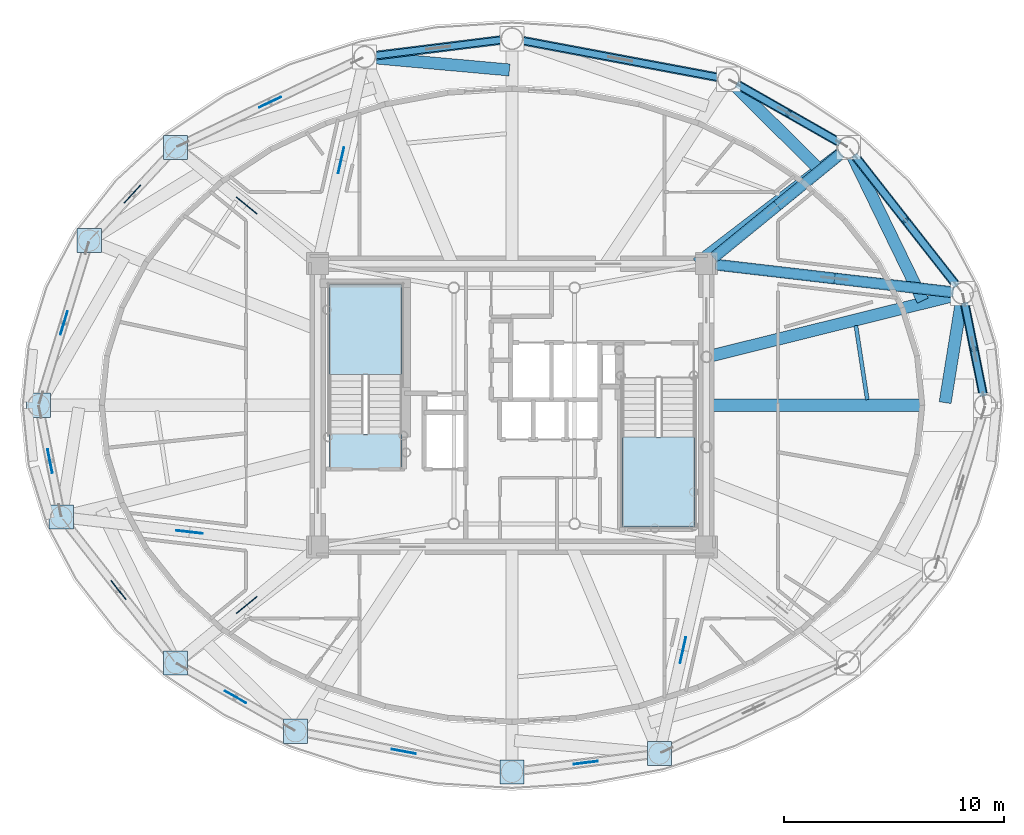
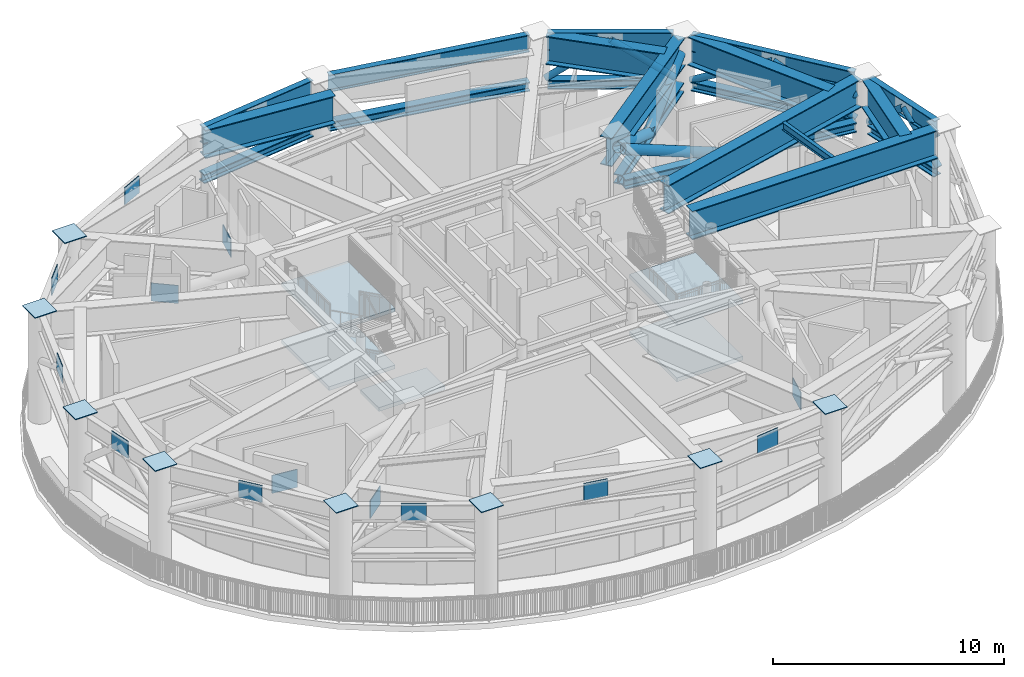
# One storey, part 4 of 17: 21 plates, 20 beams, 10 members, 5 slabs, 2 elements without a shape of their own.
"""IFC4 building model written with IfcOpenShell, lengths in metres."""

from ifc_helpers import new_model, si_unit, direction, frame, origin, origin_2d, place, context, subcontext, project, spatial, polyline, rectangle, hollow_circle, i_section, outline, extrude, source, transform, mapped, material, layer, layer_set, material_profile, profile_set, type_object, element, aggregate, save


model = new_model("IFC4")

# Units and contexts
model_context = context("Model", 3, precision=1e-05, world=origin(), true_north=direction((0.0, 1.0)))
body_context = subcontext(model_context, "Body", "Model", "MODEL_VIEW")
ifc_project = project(units=[si_unit("LENGTHUNIT", "METRE"), si_unit("AREAUNIT", "SQUARE_METRE"), si_unit("VOLUMEUNIT", "CUBIC_METRE"), si_unit("PLANEANGLEUNIT", "RADIAN"), si_unit("MASSUNIT", "GRAM", prefix="KILO")], contexts=[model_context])

# Site, building, storey
site_placement = place(None, origin())
site = spatial("IfcSite", under=ifc_project, at=site_placement, CompositionType="ELEMENT")
building_placement = place(site_placement, origin())
building = spatial("IfcBuilding", under=site, at=building_placement, Name="Linh Dai School and Residence Tower", CompositionType="ELEMENT")
storey_placement = place(building_placement, frame((0.0, 0.0, 318.0)))
storey = spatial("IfcBuildingStorey", under=building, at=storey_placement, Name="L79", CompositionType="ELEMENT", Elevation=318.0)

# Beams
ifc_material_1 = material(Name="Structural Steel S355JR", Category="steel")
ifc_material_profile_1 = material_profile(ifc_material_1, i_section(OverallWidth=0.41796875, OverallDepth=0.506103515625, WebThickness=0.038818359375, FlangeThickness=0.05810546875, FilletRadius=0.014892578125, at=origin_2d()), Name="HD 400x551")
ifc_profile_set_1 = profile_set([ifc_material_profile_1], Name="Structural Steel S355JR")
beam_type_1 = type_object("IfcBeamType", Name="BM-BC1", PredefinedType="BEAM", material=ifc_profile_set_1)
beam_1_placement = place(storey_placement, frame((45.26708984375, 33.401611328125, 3.10009765625), z_axis=(0.993317946848, -0.115409949612, 0.0), x_axis=(0.115409949612, 0.993317946848, 0.0)))
element("IfcBeam", 1, at=beam_1_placement, inside=storey, type_object=beam_type_1, Name="L79 Outrigger Truss OT3 Bottom Chord 01", PredefinedType="BEAM", context=body_context, shape_type="SweptSolid", body=[
    extrude(i_section(OverallWidth=0.41796875, OverallDepth=0.506103515625, WebThickness=0.038818359375, FlangeThickness=0.05810546875, FilletRadius=0.014892578125, at=origin_2d()), origin(), (0.0, 0.0, 1.0), 10.9072265625),
])
beam_2_placement = place(storey_placement, frame((45.17529296875, 33.7158203125, 3.10009765625), z_axis=(0.774333784276, 0.632777362529, 0.0), x_axis=(-0.632777362529, 0.774333784276, 0.0)))
element("IfcBeam", 2, at=beam_2_placement, inside=storey, type_object=beam_type_1, Name="L79 Outrigger Truss OT3 Bottom Chord 02", PredefinedType="BEAM", context=body_context, shape_type="SweptSolid", body=[
    extrude(i_section(OverallWidth=0.41796875, OverallDepth=0.506103515625, WebThickness=0.038818359375, FlangeThickness=0.05810546875, FilletRadius=0.014892578125, at=origin_2d()), origin(), (0.0, 0.0, 1.0), 7.50927734375),
])
ifc_material_profile_2 = material_profile(ifc_material_1, i_section(OverallWidth=0.408935546875, OverallDepth=0.47509765625, WebThickness=0.02978515625, FlangeThickness=0.048095703125, FilletRadius=0.014892578125, at=origin_2d()), Name="HD 400x421")
ifc_profile_set_2 = profile_set([ifc_material_profile_2], Name="Structural Steel S355JR")
beam_type_2 = type_object("IfcBeamType", Name="BM-BC2", PredefinedType="BEAM", material=ifc_profile_set_2)
beam_3_placement = place(storey_placement, frame((57.466552734375, 27.41162109375, 3.050048828125), z_axis=(-0.198442801529, 0.980112470343, 0.0), x_axis=(-0.980112470343, -0.198442801529, 0.0)))
element("IfcBeam", 3, at=beam_3_placement, inside=storey, type_object=beam_type_2, Name="L79 Ring Belt Truss BT4 Bottom Chord 01", PredefinedType="BEAM", context=body_context, shape_type="SweptSolid", body=[
    extrude(i_section(OverallWidth=0.408935546875, OverallDepth=0.47509765625, WebThickness=0.02978515625, FlangeThickness=0.048095703125, FilletRadius=0.014892578125, at=origin_2d()), origin(), (0.0, 0.0, 1.0), 4.357666015625),
])
beam_4_placement = place(storey_placement, frame((56.259521484375, 32.425048828125, 3.050048828125), z_axis=(-0.616882739554, 0.787055071542, 0.0), x_axis=(-0.787055071542, -0.616882739554, 0.0)))
element("IfcBeam", 4, at=beam_4_placement, inside=storey, type_object=beam_type_2, Name="L79 Ring Belt Truss BT4 Bottom Chord 02", PredefinedType="BEAM", context=body_context, shape_type="SweptSolid", body=[
    extrude(i_section(OverallWidth=0.408935546875, OverallDepth=0.47509765625, WebThickness=0.02978515625, FlangeThickness=0.048095703125, FilletRadius=0.014892578125, at=origin_2d()), origin(), (0.0, 0.0, 1.0), 7.59521484375),
])
beam_5_placement = place(storey_placement, frame((50.949951171875, 38.94091796875, 3.050048828125), z_axis=(-0.869265548778, 0.494345431564, 0.0), x_axis=(-0.494345431564, -0.869265548778, 0.0)))
element("IfcBeam", 5, at=beam_5_placement, inside=storey, type_object=beam_type_2, Name="L79 Ring Belt Truss BT4 Bottom Chord 03", PredefinedType="BEAM", context=body_context, shape_type="SweptSolid", body=[
    extrude(i_section(OverallWidth=0.408935546875, OverallDepth=0.47509765625, WebThickness=0.02978515625, FlangeThickness=0.048095703125, FilletRadius=0.014892578125, at=origin_2d()), origin(), (0.0, 0.0, 1.0), 5.44189453125),
])
beam_6_placement = place(storey_placement, frame((45.441650390625, 41.916259765625, 3.050048828125), z_axis=(-0.982805333306, 0.184644731378, 0.0), x_axis=(-0.184644731378, -0.982805333306, 0.0)))
element("IfcBeam", 6, at=beam_6_placement, inside=storey, type_object=beam_type_2, Name="L79 Ring Belt Truss BT4 Bottom Chord 04", PredefinedType="BEAM", context=body_context, shape_type="SweptSolid", body=[
    extrude(i_section(OverallWidth=0.408935546875, OverallDepth=0.47509765625, WebThickness=0.02978515625, FlangeThickness=0.048095703125, FilletRadius=0.014892578125, at=origin_2d()), origin(), (0.0, 0.0, 1.0), 9.186767578125),
])
beam_7_placement = place(storey_placement, frame((35.583251953125, 43.638427734375, 3.050048828125), z_axis=(-0.992399134443, -0.123060789678, 0.0), x_axis=(0.123060789678, -0.992399134443, 0.0)))
element("IfcBeam", 7, at=beam_7_placement, inside=storey, type_object=beam_type_2, Name="L79 Ring Belt Truss BT4 Bottom Chord 05", PredefinedType="BEAM", context=body_context, shape_type="SweptSolid", body=[
    extrude(i_section(OverallWidth=0.408935546875, OverallDepth=0.47509765625, WebThickness=0.02978515625, FlangeThickness=0.048095703125, FilletRadius=0.014892578125, at=origin_2d()), origin(), (0.0, 0.0, 1.0), 5.923828125),
])
ifc_material_profile_3 = material_profile(ifc_material_1, i_section(OverallWidth=0.300048828125, OverallDepth=0.89990234375, WebThickness=0.0185546875, FlangeThickness=0.034912109375, FilletRadius=0.030029296875, at=origin_2d()), Name="HEB 900")
ifc_profile_set_3 = profile_set([ifc_material_profile_3], Name="Structural Steel S355JR")
beam_type_3 = type_object("IfcBeamType", Name="BM-RG9", PredefinedType="BEAM", material=ifc_profile_set_3)
beam_8_placement = place(storey_placement, frame((57.466552734375, 27.41162109375, 5.300048828125), z_axis=(-0.198442801529, 0.980112470343, 0.0), x_axis=(-0.980112470343, -0.198442801529, 0.0)))
element("IfcBeam", 8, at=beam_8_placement, inside=storey, type_object=beam_type_3, Name="L79 Perimeter Elliptical Ring Beam 01", PredefinedType="BEAM", context=body_context, shape_type="SweptSolid", body=[
    extrude(i_section(OverallWidth=0.300048828125, OverallDepth=0.89990234375, WebThickness=0.0185546875, FlangeThickness=0.034912109375, FilletRadius=0.030029296875, at=origin_2d()), origin(), (0.0, 0.0, 1.0), 4.357666015625),
])
beam_9_placement = place(storey_placement, frame((56.259521484375, 32.425048828125, 5.300048828125), z_axis=(-0.616882739554, 0.787055071542, 0.0), x_axis=(-0.787055071542, -0.616882739554, 0.0)))
element("IfcBeam", 9, at=beam_9_placement, inside=storey, type_object=beam_type_3, Name="L79 Perimeter Elliptical Ring Beam 02", PredefinedType="BEAM", context=body_context, shape_type="SweptSolid", body=[
    extrude(i_section(OverallWidth=0.300048828125, OverallDepth=0.89990234375, WebThickness=0.0185546875, FlangeThickness=0.034912109375, FilletRadius=0.030029296875, at=origin_2d()), origin(), (0.0, 0.0, 1.0), 7.59521484375),
])
beam_10_placement = place(storey_placement, frame((50.949951171875, 38.94091796875, 5.300048828125), z_axis=(-0.869265548778, 0.494345431564, 0.0), x_axis=(-0.494345431564, -0.869265548778, 0.0)))
element("IfcBeam", 10, at=beam_10_placement, inside=storey, type_object=beam_type_3, Name="L79 Perimeter Elliptical Ring Beam 03", PredefinedType="BEAM", context=body_context, shape_type="SweptSolid", body=[
    extrude(i_section(OverallWidth=0.300048828125, OverallDepth=0.89990234375, WebThickness=0.0185546875, FlangeThickness=0.034912109375, FilletRadius=0.030029296875, at=origin_2d()), origin(), (0.0, 0.0, 1.0), 5.44189453125),
])
beam_11_placement = place(storey_placement, frame((45.441650390625, 41.916259765625, 5.300048828125), z_axis=(-0.982805333306, 0.184644731378, 0.0), x_axis=(-0.184644731378, -0.982805333306, 0.0)))
element("IfcBeam", 11, at=beam_11_placement, inside=storey, type_object=beam_type_3, Name="L79 Perimeter Elliptical Ring Beam 04", PredefinedType="BEAM", context=body_context, shape_type="SweptSolid", body=[
    extrude(i_section(OverallWidth=0.300048828125, OverallDepth=0.89990234375, WebThickness=0.0185546875, FlangeThickness=0.034912109375, FilletRadius=0.030029296875, at=origin_2d()), origin(), (0.0, 0.0, 1.0), 9.186767578125),
])
beam_12_placement = place(storey_placement, frame((35.583251953125, 43.638427734375, 5.300048828125), z_axis=(-0.992399134443, -0.123060789678, 0.0), x_axis=(0.123060789678, -0.992399134443, 0.0)))
element("IfcBeam", 12, at=beam_12_placement, inside=storey, type_object=beam_type_3, Name="L79 Perimeter Elliptical Ring Beam 05", PredefinedType="BEAM", context=body_context, shape_type="SweptSolid", body=[
    extrude(i_section(OverallWidth=0.300048828125, OverallDepth=0.89990234375, WebThickness=0.0185546875, FlangeThickness=0.034912109375, FilletRadius=0.030029296875, at=origin_2d()), origin(), (0.0, 0.0, 1.0), 5.923828125),
])
ifc_material_profile_4 = material_profile(ifc_material_1, i_section(OverallWidth=0.179931640625, OverallDepth=0.39990234375, WebThickness=0.008544921875, FlangeThickness=0.013427734375, FilletRadius=0.02099609375, at=origin_2d()), Name="IPE 400")
ifc_profile_set_4 = profile_set([ifc_material_profile_4], Name="Structural Steel S355JR")
beam_type_4 = type_object("IfcBeamType", Name="BM-SB40", PredefinedType="BEAM", material=ifc_profile_set_4)
beam_13_placement = place(storey_placement, frame((52.177001953125, 27.251953125, 5.550048828125), z_axis=(-0.152417273889, 0.988316232094, 0.0), x_axis=(-0.988316232094, -0.152417273889, 0.0)))
element("IfcBeam", 13, at=beam_13_placement, inside=storey, type_object=beam_type_4, Name="L79 Secondary Circumferential Floor Beam 01", PredefinedType="BEAM", context=body_context, shape_type="SweptSolid", body=[
    extrude(i_section(OverallWidth=0.179931640625, OverallDepth=0.39990234375, WebThickness=0.008544921875, FlangeThickness=0.013427734375, FilletRadius=0.02099609375, at=origin_2d()), origin(), (0.0, 0.0, 1.0), 3.413330078125),
])
ifc_material_profile_5 = material_profile(ifc_material_1, i_section(OverallWidth=0.550048828125, OverallDepth=1.5, WebThickness=0.028076171875, FlangeThickness=0.050048828125, at=origin_2d()), Name="PG 1500x550x28x50")
ifc_profile_set_5 = profile_set([ifc_material_profile_5], Name="Structural Steel S355JR")
beam_type_5 = type_object("IfcBeamType", Name="BM-TG15", PredefinedType="BEAM", material=ifc_profile_set_5)
beam_14_placement = place(storey_placement, frame((44.85009765625, 27.0, 5.0), z_axis=(1.0, 0.0, 0.0), x_axis=(0.0, 1.0, 0.0)))
element("IfcBeam", 14, at=beam_14_placement, inside=storey, type_object=beam_type_5, Name="L79 Radial Setback Transfer Girder 01", PredefinedType="BEAM", context=body_context, shape_type="SweptSolid", body=[
    extrude(i_section(OverallWidth=0.550048828125, OverallDepth=1.5, WebThickness=0.028076171875, FlangeThickness=0.050048828125, at=origin_2d()), origin(), (0.0, 0.0, 1.0), 12.27978515625),
])
beam_15_placement = place(storey_placement, frame((55.718994140625, 27.118408203125, 5.0), z_axis=(0.158645897724, 0.987335545362, 0.0), x_axis=(-0.987335545362, 0.158645897724, 0.0)))
element("IfcBeam", 15, at=beam_15_placement, inside=storey, type_object=beam_type_5, Name="L79 Setback Diaphragm Transfer Girder 01", PredefinedType="BEAM", context=body_context, shape_type="SweptSolid", body=[
    extrude(i_section(OverallWidth=0.550048828125, OverallDepth=1.5, WebThickness=0.028076171875, FlangeThickness=0.050048828125, at=origin_2d()), origin(), (0.0, 0.0, 1.0), 4.619873046875),
])
beam_16_placement = place(storey_placement, frame((44.85009765625, 29.197265625, 5.0), z_axis=(0.970532368701, 0.240970789315, 0.0), x_axis=(-0.240970789315, 0.970532368701, 0.0)))
element("IfcBeam", 16, at=beam_16_placement, inside=storey, type_object=beam_type_5, Name="L79 Radial Setback Transfer Girder 02", PredefinedType="BEAM", context=body_context, shape_type="SweptSolid", body=[
    extrude(i_section(OverallWidth=0.550048828125, OverallDepth=1.5, WebThickness=0.028076171875, FlangeThickness=0.050048828125, at=origin_2d()), origin(), (0.0, 0.0, 1.0), 11.6025390625),
])
beam_17_placement = place(storey_placement, frame((54.705322265625, 31.7626953125, 5.0), z_axis=(-0.437369650216, 0.899281818492, 0.0), x_axis=(-0.899281818492, -0.437369650216, 0.0)))
element("IfcBeam", 17, at=beam_17_placement, inside=storey, type_object=beam_type_5, Name="L79 Setback Diaphragm Transfer Girder 02", PredefinedType="BEAM", context=body_context, shape_type="SweptSolid", body=[
    extrude(i_section(OverallWidth=0.550048828125, OverallDepth=1.5, WebThickness=0.028076171875, FlangeThickness=0.050048828125, at=origin_2d()), origin(), (0.0, 0.0, 1.0), 7.33154296875),
])
beam_18_placement = place(storey_placement, frame((44.4189453125, 33.449951171875, 5.0), z_axis=(0.793802616583, 0.608175472956, 0.0), x_axis=(-0.608175472956, 0.793802616583, 0.0)))
element("IfcBeam", 18, at=beam_18_placement, inside=storey, type_object=beam_type_5, Name="L79 Radial Setback Transfer Girder 03", PredefinedType="BEAM", context=body_context, shape_type="SweptSolid", body=[
    extrude(i_section(OverallWidth=0.550048828125, OverallDepth=1.5, WebThickness=0.028076171875, FlangeThickness=0.050048828125, at=origin_2d()), origin(), (0.0, 0.0, 1.0), 8.267578125),
])
beam_19_placement = place(storey_placement, frame((49.917236328125, 37.807373046875, 5.0), z_axis=(-0.709840484689, 0.704362467978, 0.0), x_axis=(-0.704362467978, -0.709840484689, 0.0)))
element("IfcBeam", 19, at=beam_19_placement, inside=storey, type_object=beam_type_5, Name="L79 Setback Diaphragm Transfer Girder 03", PredefinedType="BEAM", context=body_context, shape_type="SweptSolid", body=[
    extrude(i_section(OverallWidth=0.550048828125, OverallDepth=1.5, WebThickness=0.028076171875, FlangeThickness=0.050048828125, at=origin_2d()), origin(), (0.0, 0.0, 1.0), 5.303466796875),
])
beam_20_placement = place(storey_placement, frame((35.88037109375, 42.265625, 5.0), z_axis=(-0.995989156709, 0.089474017004, 0.0), x_axis=(-0.089474017004, -0.995989156709, 0.0)))
element("IfcBeam", 20, at=beam_20_placement, inside=storey, type_object=beam_type_5, Name="L79 Setback Diaphragm Transfer Girder 05", PredefinedType="BEAM", context=body_context, shape_type="SweptSolid", body=[
    extrude(i_section(OverallWidth=0.550048828125, OverallDepth=1.5, WebThickness=0.028076171875, FlangeThickness=0.050048828125, at=origin_2d()), origin(), (0.0, 0.0, 1.0), 6.199462890625),
])

# Members
ifc_material_profile_6 = material_profile(ifc_material_1, hollow_circle(Radius=0.161865234375, WallThickness=0.012451171875, at=origin_2d()), Name="CHS 323.9x12.5")
ifc_profile_set_6 = profile_set([ifc_material_profile_6], Name="Structural Steel S355JR")
member_type_1 = type_object("IfcMemberType", Name="MBR-BT4", PredefinedType="BRACE", material=ifc_profile_set_6)
for number, where, z_axis, x_axis, name in (
    (21, (57.487060546875, 27.311279296875, 3.324951171875), (-0.150086560674, 0.740966427304, 0.65455540477), (-0.980096125696, -0.198523510938, 0.0), "L79 Ring Belt Truss BT4 Diagonal 01A"),
    (22, (56.58154296875, 31.783203125, 3.324951171875), (0.149998479596, -0.741011906485, 0.654524109997), (0.980121156921, 0.19839989354, 0.0), "L79 Ring Belt Truss BT4 Diagonal 01B"),
):
    element("IfcMember", number, at=place(storey_placement, frame(where, z_axis=z_axis, x_axis=x_axis)), inside=storey, type_object=member_type_1, Name=name, PredefinedType="BRACE", context=body_context, shape_type="SweptSolid", body=[
        extrude(hollow_circle(Radius=0.161865234375, WallThickness=0.012451171875, at=origin_2d()), origin(), (0.0, 0.0, 1.0), 3.017578125),
    ])
member_1_placement = place(storey_placement, frame((56.2900390625, 32.385986328125, 3.247802734375), z_axis=(-0.544298571084, 0.694413216602, 0.470669045215), x_axis=(-0.78704009278, -0.616901849856, 0.0)))
element("IfcMember", 23, at=member_1_placement, inside=storey, type_object=member_type_1, Name="L79 Ring Belt Truss BT4 Diagonal 02A", PredefinedType="BRACE", context=body_context, shape_type="SweptSolid", body=[
    extrude(hollow_circle(Radius=0.161865234375, WallThickness=0.012451171875, at=origin_2d()), origin(), (0.0, 0.0, 1.0), 4.3603515625),
])
member_2_placement = place(storey_placement, frame((51.543701171875, 38.441650390625, 3.247802734375), z_axis=(0.544259165501, -0.694434379685, 0.470683389424), x_axis=(0.787070904875, 0.616862537928, 0.0)))
element("IfcMember", 24, at=member_2_placement, inside=storey, type_object=member_type_1, Name="L79 Ring Belt Truss BT4 Diagonal 02B", PredefinedType="BRACE", context=body_context, shape_type="SweptSolid", body=[
    extrude(hollow_circle(Radius=0.161865234375, WallThickness=0.012451171875, at=origin_2d()), origin(), (0.0, 0.0, 1.0), 4.360107421875),
])
member_3_placement = place(storey_placement, frame((51.018310546875, 38.902099609375, 3.294677734375), z_axis=(-0.7066689285, 0.401896684959, 0.582321285985), x_axis=(-0.494362952352, -0.869255584591, 0.0)))
element("IfcMember", 25, at=member_3_placement, inside=storey, type_object=member_type_1, Name="L79 Ring Belt Truss BT4 Diagonal 03A", PredefinedType="BRACE", context=body_context, shape_type="SweptSolid", body=[
    extrude(hollow_circle(Radius=0.161865234375, WallThickness=0.012451171875, at=origin_2d()), origin(), (0.0, 0.0, 1.0), 3.44384765625),
])
member_4_placement = place(storey_placement, frame((46.151123046875, 41.669921875, 3.294677734375), z_axis=(0.706689061971, -0.401837239491, 0.582337876708), x_axis=(0.494297055825, 0.869293057951, 0.0)))
element("IfcMember", 26, at=member_4_placement, inside=storey, type_object=member_type_1, Name="L79 Ring Belt Truss BT4 Diagonal 03B", PredefinedType="BRACE", context=body_context, shape_type="SweptSolid", body=[
    extrude(hollow_circle(Radius=0.161865234375, WallThickness=0.012451171875, at=origin_2d()), origin(), (0.0, 0.0, 1.0), 3.443603515625),
])
ifc_material_profile_7 = material_profile(ifc_material_1, hollow_circle(Radius=0.25390625, WallThickness=0.02001953125, at=origin_2d()), Name="CHS 508x20")
ifc_profile_set_7 = profile_set([ifc_material_profile_7], Name="Structural Steel S355JR")
member_type_2 = type_object("IfcMemberType", Name="MBR-OT3", PredefinedType="BRACE", material=ifc_profile_set_7)
member_5_placement = place(storey_placement, frame((45.246826171875, 33.40380859375, 4.870849609375), z_axis=(0.945103823639, -0.109778358107, -0.307778288113), x_axis=(0.115379077168, 0.993321533317, 0.0)))
element("IfcMember", 27, at=member_5_placement, inside=storey, type_object=member_type_2, Name="L79 Outrigger Truss OT3 Web Diagonal 01A", PredefinedType="BRACE", context=body_context, shape_type="SweptSolid", body=[
    extrude(hollow_circle(Radius=0.25390625, WallThickness=0.02001953125, at=origin_2d()), origin(), (0.0, 0.0, 1.0), 5.75341796875),
])
member_6_placement = place(storey_placement, frame((56.12158203125, 32.140380859375, 4.870849609375), z_axis=(-0.945094888424, 0.109824685521, -0.307789197869), x_axis=(-0.115428196283, -0.993315826665, 0.0)))
element("IfcMember", 28, at=member_6_placement, inside=storey, type_object=member_type_2, Name="L79 Outrigger Truss OT3 Web Diagonal 01B", PredefinedType="BRACE", context=body_context, shape_type="SweptSolid", body=[
    extrude(hollow_circle(Radius=0.25390625, WallThickness=0.02001953125, at=origin_2d()), origin(), (0.0, 0.0, 1.0), 5.753173828125),
])
member_7_placement = place(storey_placement, frame((45.14599609375, 33.69189453125, 4.825927734375), z_axis=(0.704764011253, 0.57597524365, -0.414198270331), x_axis=(-0.632810011578, 0.774307102671, 0.0)))
element("IfcMember", 29, at=member_7_placement, inside=storey, type_object=member_type_2, Name="L79 Outrigger Truss OT3 Web Diagonal 02A", PredefinedType="BRACE", context=body_context, shape_type="SweptSolid", body=[
    extrude(hollow_circle(Radius=0.25390625, WallThickness=0.02001953125, at=origin_2d()), origin(), (0.0, 0.0, 1.0), 4.166748046875),
])
member_8_placement = place(storey_placement, frame((51.01904296875, 38.491455078125, 4.825927734375), z_axis=(-0.704787795956, -0.575936086336, -0.414212248887), x_axis=(0.632771412863, -0.774338646242, 0.0)))
element("IfcMember", 30, at=member_8_placement, inside=storey, type_object=member_type_2, Name="L79 Outrigger Truss OT3 Web Diagonal 02B", PredefinedType="BRACE", context=body_context, shape_type="SweptSolid", body=[
    extrude(hollow_circle(Radius=0.25390625, WallThickness=0.02001953125, at=origin_2d()), origin(), (0.0, 0.0, 1.0), 4.16650390625),
])

# Stair, slabs
ifc_material_2 = material(Name="Concrete B45 (C35/45)", Category="concrete")
stair_type = type_object("IfcStairType", Name="ST-DOG-1550-R1500", PredefinedType="HALF_TURN_STAIR", material=ifc_material_2)
stair_1_placement = place(storey_placement, origin())
stair_1 = element("IfcStair", 31, at=stair_1_placement, inside=storey, type_object=stair_type, Name="L79 Core Smokeproof Exit Stair ST1", PredefinedType="HALF_TURN_STAIR")
ifc_layer_1 = layer(ifc_material_2, 0.199951171875)
ifc_layer_set_1 = layer_set([ifc_layer_1], Name="Concrete B45 (C35/45)")
slab_type = type_object("IfcSlabType", Name="SLB-ST-LANDING-200", PredefinedType="LANDING", material=ifc_layer_set_1)
slab_1_placement = place(storey_placement, frame((0.0, 0.0, 1.300048828125)))
slab_1 = element("IfcSlab", 32, at=slab_1_placement, type_object=slab_type, Name="ST1 landing 1", PredefinedType="LANDING", context=body_context, shape_type="SweptSolid", body=[
    extrude(outline(polyline([(30.97998046875, 28.39990234375), (30.97998046875, 32.5), (27.679931640625, 32.5), (27.679931640625, 28.39990234375), (30.97998046875, 28.39990234375)])), origin(), (0.0, 0.0, 1.0), 0.199951171875),
])
slab_2_placement = place(storey_placement, frame((0.0, 0.0, 2.800048828125)))
slab_2 = element("IfcSlab", 33, at=slab_2_placement, type_object=slab_type, Name="ST1 landing 2", PredefinedType="LANDING", context=body_context, shape_type="SweptSolid", body=[
    extrude(outline(polyline([(30.97998046875, 24.10009765625), (30.97998046875, 25.699951171875), (27.679931640625, 25.699951171875), (27.679931640625, 24.10009765625), (30.97998046875, 24.10009765625)])), origin(), (0.0, 0.0, 1.0), 0.199951171875),
])
slab_3_placement = place(storey_placement, frame((0.0, 0.0, 4.300048828125)))
slab_3 = element("IfcSlab", 34, at=slab_3_placement, type_object=slab_type, Name="ST1 landing 3", PredefinedType="LANDING", context=body_context, shape_type="SweptSolid", body=[
    extrude(outline(polyline([(30.97998046875, 28.39990234375), (30.97998046875, 32.5), (27.679931640625, 32.5), (27.679931640625, 28.39990234375), (30.97998046875, 28.39990234375)])), origin(), (0.0, 0.0, 1.0), 0.199951171875),
])
aggregate(stair_1, [slab_1, slab_2, slab_3])

stair_2_placement = place(storey_placement, origin())
stair_2 = element("IfcStair", 35, at=stair_2_placement, inside=storey, type_object=stair_type, Name="L79 Core Smokeproof Exit Stair ST2", PredefinedType="HALF_TURN_STAIR")
slab_4_placement = place(storey_placement, frame((0.0, 0.0, 1.300048828125)))
slab_4 = element("IfcSlab", 36, at=slab_4_placement, type_object=slab_type, Name="ST2 landing 1", PredefinedType="LANDING", context=body_context, shape_type="SweptSolid", body=[
    extrude(outline(polyline([(41.02001953125, 25.550048828125), (41.02001953125, 21.449951171875), (44.320068359375, 21.449951171875), (44.320068359375, 25.550048828125), (41.02001953125, 25.550048828125)])), origin(), (0.0, 0.0, 1.0), 0.199951171875),
])
slab_5_placement = place(storey_placement, frame((0.0, 0.0, 4.300048828125)))
slab_5 = element("IfcSlab", 37, at=slab_5_placement, type_object=slab_type, Name="ST2 landing 3", PredefinedType="LANDING", context=body_context, shape_type="SweptSolid", body=[
    extrude(outline(polyline([(41.02001953125, 25.550048828125), (41.02001953125, 21.449951171875), (44.320068359375, 21.449951171875), (44.320068359375, 25.550048828125), (41.02001953125, 25.550048828125)])), origin(), (0.0, 0.0, 1.0), 0.199951171875),
])
aggregate(stair_2, [slab_4, slab_5])

# Plates
ifc_layer_2 = layer(ifc_material_1, 0.0400390625)
ifc_layer_set_2 = layer_set([ifc_layer_2], Name="Structural Steel S355JR")
plate_type = type_object("IfcPlateType", Name="PLT-GP1", PredefinedType="USERDEFINED", material=ifc_layer_set_2)
shared_shape_1 = source(origin(), body_context, "Body", "SweptSolid", [
    extrude(rectangle(XDim=1.10009765625, YDim=1.10009765625, at=origin_2d()), origin(), (0.0, 0.0, 1.0), 0.0400390625),
])
for number, where, z_axis, x_axis, name in (
    (38, (20.684814453125, 38.7333984375, 5.75), (0.0, 0.0, 1.0), (1.0, 0.0, 0.0), "L79 MC07 Column Cap Plate"),
    (39, (16.75390625, 34.49951171875, 5.75), (0.0, 0.0, 1.0), (1.0, 0.0, 0.0), "L79 MC08 Column Cap Plate"),
    (40, (14.449951171875, 27.0, 5.75), (0.0, 0.0, 1.0), (1.0, 0.0, 0.0), "L79 MC09 Column Cap Plate"),
    (41, (15.4814453125, 21.905517578125, 5.75), (0.0, 0.0, 1.0), (1.0, 0.0, 0.0), "L79 MC10 Column Cap Plate"),
    (42, (20.684814453125, 15.2666015625, 5.75), (0.0, 0.0, 1.0), (1.0, 0.0, 0.0), "L79 MC11 Column Cap Plate"),
    (43, (26.1455078125, 12.1611328125, 5.75), (0.0, 0.0, 1.0), (1.0, 0.0, 0.0), "L79 MC12 Column Cap Plate"),
    (44, (36.0, 10.31005859375, 5.75), (0.0, 0.0, 1.0), (1.0, 0.0, 0.0), "L79 MC13 Column Cap Plate"),
    (45, (42.71240234375, 11.142333984375, 5.75), (0.0, 0.0, 1.0), (1.0, 0.0, 0.0), "L79 MC14 Column Cap Plate"),
):
    element("IfcPlate", number, at=place(storey_placement, frame(where, z_axis=z_axis, x_axis=x_axis)), inside=storey, type_object=plate_type, Name=name, ObjectType="GUSSET PLATE", PredefinedType="USERDEFINED", context=body_context, shape_type="MappedRepresentation", body=[
        mapped(shared_shape_1, transform((0.0, 0.0, 0.0), x_axis=(1.0, 0.0, 0.0), y_axis=(0.0, 1.0, 0.0), z_axis=(0.0, 0.0, 1.0), scale=1.0)),
    ])
shared_shape_2 = source(origin(), body_context, "Body", "SweptSolid", [
    extrude(rectangle(XDim=1.10009765625, YDim=0.0400390625, at=origin_2d()), origin(), (0.0, 0.0, 1.0), 0.89990234375),
])
for number, where, z_axis, x_axis, name in (
    (46, (24.986328125, 40.795654296875, 4.85009765625), (0.0, 0.0, 1.0), (-0.901725774799, -0.432308485994, 0.0), "L79 Belt Truss BT4 Node Gusset Plate 06"),
    (47, (18.719482421875, 36.616455078125, 4.85009765625), (0.0, 0.0, 1.0), (-0.68039193112, -0.732848429122, 0.0), "L79 Belt Truss BT4 Node Gusset Plate 07"),
    (48, (15.60205078125, 30.749755859375, 4.85009765625), (0.0, 0.0, 1.0), (-0.29366585486, -0.955908136637, 0.0), "L79 Belt Truss BT4 Node Gusset Plate 08"),
    (49, (14.9658203125, 24.452880859375, 4.85009765625), (0.0, 0.0, 1.0), (0.198437226319, -0.980113599136, 0.0), "L79 Belt Truss BT4 Node Gusset Plate 09"),
    (50, (18.083251953125, 18.586181640625, 4.85009765625), (0.0, 0.0, 1.0), (0.616871256909, -0.787064071343, 0.0), "L79 Belt Truss BT4 Node Gusset Plate 10"),
    (51, (23.415283203125, 13.7138671875, 4.85009765625), (0.0, 0.0, 1.0), (0.86927465453, -0.494329419508, 0.0), "L79 Belt Truss BT4 Node Gusset Plate 11"),
    (52, (31.07275390625, 11.235595703125, 4.85009765625), (0.0, 0.0, 1.0), (0.982808384119, -0.184628492127, 0.0), "L79 Belt Truss BT4 Node Gusset Plate 12"),
    (53, (39.356201171875, 10.72607421875, 4.85009765625), (0.0, 0.0, 1.0), (0.992401563262, 0.123041201373, 0.0), "L79 Belt Truss BT4 Node Gusset Plate 13"),
):
    element("IfcPlate", number, at=place(storey_placement, frame(where, z_axis=z_axis, x_axis=x_axis)), inside=storey, type_object=plate_type, Name=name, ObjectType="GUSSET PLATE", PredefinedType="USERDEFINED", context=body_context, shape_type="MappedRepresentation", body=[
        mapped(shared_shape_2, transform((0.0, 0.0, 0.0), x_axis=(1.0, 0.0, 0.0), y_axis=(0.0, 1.0, 0.0), z_axis=(0.0, 0.0, 1.0), scale=1.0)),
    ])
shared_shape_3 = source(origin(), body_context, "Body", "SweptSolid", [
    extrude(rectangle(XDim=1.199951171875, YDim=0.0400390625, at=origin_2d()), origin(), (0.0, 0.0, 1.0), 0.949951171875),
])
for number, where, z_axis, x_axis, name in (
    (54, (28.21875, 38.15380859375, 2.625), (0.0, 0.0, 1.0), (0.221569093867, 0.975144674724, 0.0), "L79 Outrigger Truss OT3 Node Gusset Plate 03"),
    (55, (23.91748046875, 36.091796875, 2.625), (0.0, 0.0, 1.0), (-0.774324542403, 0.6327886717, 0.0), "L79 Outrigger Truss OT3 Node Gusset Plate 04"),
    (56, (21.315673828125, 21.227783203125, 2.625), (0.0, 0.0, 1.0), (-0.993319054166, 0.115400418678, 0.0), "L79 Outrigger Truss OT3 Node Gusset Plate 05"),
    (57, (23.91748046875, 17.908203125, 2.625), (0.0, 0.0, 1.0), (-0.774324542403, -0.6327886717, 0.0), "L79 Outrigger Truss OT3 Node Gusset Plate 06"),
    (58, (43.78125, 15.84619140625, 2.625), (0.0, 0.0, 1.0), (-0.221569093867, -0.975144674724, 0.0), "L79 Outrigger Truss OT3 Node Gusset Plate 07"),
):
    element("IfcPlate", number, at=place(storey_placement, frame(where, z_axis=z_axis, x_axis=x_axis)), inside=storey, type_object=plate_type, Name=name, ObjectType="GUSSET PLATE", PredefinedType="USERDEFINED", context=body_context, shape_type="MappedRepresentation", body=[
        mapped(shared_shape_3, transform((0.0, 0.0, 0.0), x_axis=(1.0, 0.0, 0.0), y_axis=(0.0, 1.0, 0.0), z_axis=(0.0, 0.0, 1.0), scale=1.0)),
    ])

save(model, "model.ifc")
